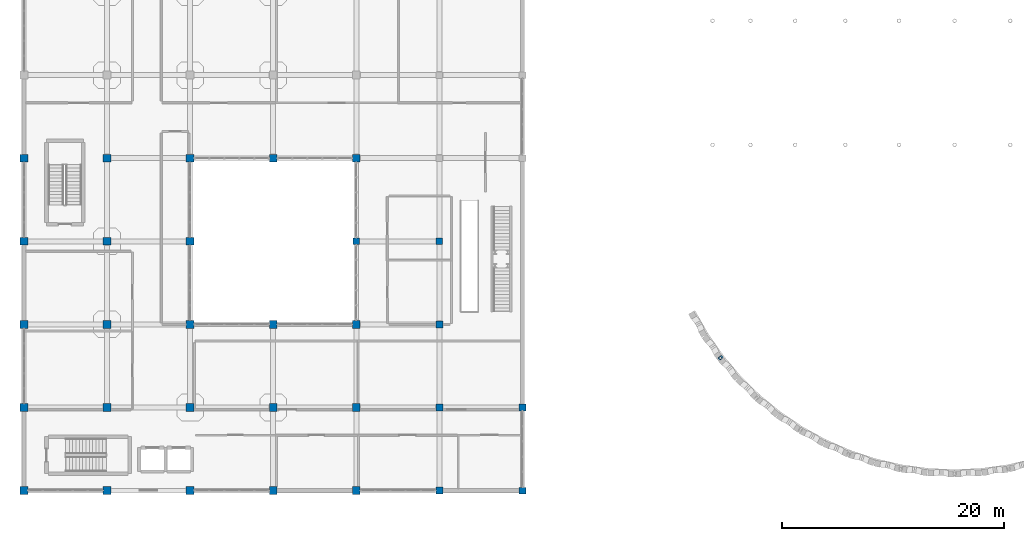
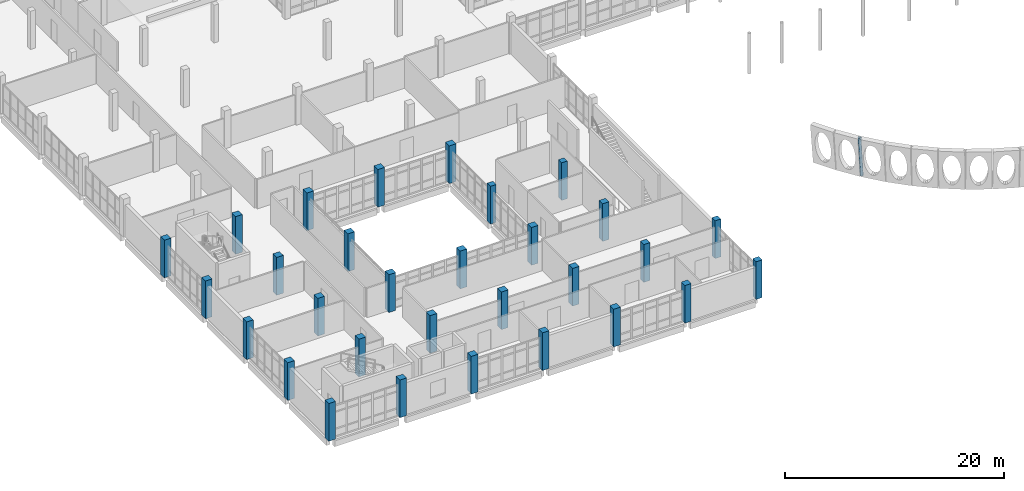
# One storey, part 1 of 164: 31 columns.
"""IFC4 building model written with IfcOpenShell, lengths in metres."""

import ifcopenshell
import ifcopenshell.guid

model = None  # the IFC model being written
_history = None  # IfcOwnerHistory: only IFC2X3 demands one
_inside = {}  # id of a spatial element -> (the spatial element, [elements in it])
_under = {}  # id of a project, library or spatial element -> (it, [spatial elements below it])
_declared = {}  # id of a project -> (the project, [libraries it declares])
_typed = {}  # id of a type object -> (the type object, [elements of that type])
_made_of = {}  # id of a material, layer set ... -> (it, [elements and type objects made of it])


def new_model(schema):
    """Start an empty IFC model of exactly this schema.

    Asked for "IFC4X3", IfcOpenShell would pick the latest addendum, in which some entities
    have other attributes; the version numbers below select the first issue.
    IFC2X3 requires an IfcOwnerHistory on every rooted entity: one is made here for all.
    """
    global model, _history
    if schema == "IFC4X3":
        model = ifcopenshell.file(schema_version=(4, 3, 0, 0))
    else:
        model = ifcopenshell.file(schema=schema)
    _inside.clear()
    _under.clear()
    _declared.clear()
    _typed.clear()
    _made_of.clear()
    _history = None
    if model.schema == "IFC2X3":
        org = make("IfcOrganization", Name="unknown")
        user = make(
            "IfcPersonAndOrganization",
            ThePerson=make("IfcPerson", FamilyName="unknown"),
            TheOrganization=org,
        )
        app = make(
            "IfcApplication",
            ApplicationDeveloper=org,
            Version="unknown",
            ApplicationFullName="unknown",
            ApplicationIdentifier="unknown",
        )
        _history = make(
            "IfcOwnerHistory",
            OwningUser=user,
            OwningApplication=app,
            ChangeAction="ADDED",
            CreationDate=0,
        )
    return model


def make(cls, **values):
    """One entity of the class cls with the attributes given. An attribute that is None is left unset."""
    return model.create_entity(
        cls, **{name: value for name, value in values.items() if value is not None}
    )


def rooted(cls, **values):
    """An entity with a GlobalId (a new one), such as an element, a storey or a relation."""
    return make(cls, GlobalId=ifcopenshell.guid.new(), OwnerHistory=_history, **values)


def si_unit(unit_type, name, prefix=None):
    """IfcSIUnit, for example si_unit("LENGTHUNIT", "METRE", prefix="MILLI")."""
    return make("IfcSIUnit", UnitType=unit_type, Prefix=prefix, Name=name)


def assignment(units):
    """IfcUnitAssignment: the units of a project."""
    return None if units is None else make("IfcUnitAssignment", Units=units)


def point(xyz):
    """IfcCartesianPoint."""
    return None if xyz is None else make("IfcCartesianPoint", Coordinates=xyz)


def direction(xyz):
    """IfcDirection."""
    return None if xyz is None else make("IfcDirection", DirectionRatios=xyz)


def frame(location, z_axis=None, x_axis=None):
    """IfcAxis2Placement3D, a coordinate frame: its origin and axes. An axis left out is left unset."""
    return make(
        "IfcAxis2Placement3D",
        Location=point(location),
        Axis=direction(z_axis),
        RefDirection=direction(x_axis),
    )


def frame_2d(location, x_axis=None):
    """IfcAxis2Placement2D, a coordinate frame in the plane: its origin and x axis."""
    return make(
        "IfcAxis2Placement2D", Location=point(location), RefDirection=direction(x_axis)
    )


def origin():
    """The frame at (0, 0, 0) with its axes left unset."""
    return frame((0.0, 0.0, 0.0))


def origin_2d():
    """The frame at (0, 0) in the plane with its x axis left unset."""
    return frame_2d((0.0, 0.0))


def place(relative_to, where):
    """IfcLocalPlacement: puts the frame where relative to a parent placement (None: the world)."""
    return make(
        "IfcLocalPlacement", PlacementRelTo=relative_to, RelativePlacement=where
    )


def context(
    kind, dimensions, precision=None, world=None, true_north=None, identifier=None
):
    """IfcGeometricRepresentationContext, for example the 3D "Model" context."""
    return make(
        "IfcGeometricRepresentationContext",
        ContextIdentifier=identifier,
        ContextType=kind,
        CoordinateSpaceDimension=dimensions,
        Precision=precision,
        WorldCoordinateSystem=world,
        TrueNorth=true_north,
    )


def subcontext(parent, identifier, kind, view, scale=None):
    """IfcGeometricRepresentationSubContext, for example "Body" below "Model"."""
    return make(
        "IfcGeometricRepresentationSubContext",
        ContextIdentifier=identifier,
        ContextType=kind,
        ParentContext=parent,
        TargetScale=scale,
        TargetView=view,
    )


def project(units=None, contexts=None):
    """IfcProject with its units and contexts."""
    return rooted(
        "IfcProject",
        Name="project",
        RepresentationContexts=contexts,
        UnitsInContext=assignment(units),
    )


def spatial(cls, under=None, at=None, **own):
    """A site, building, storey or space (cls), placed at a placement, below another one or the project."""
    s = rooted(cls, ObjectPlacement=at, **own)
    if under is not None:
        _under.setdefault(under.id(), (under, []))[1].append(s)
    return s


def profile(cls, at=None, kind="AREA", **sizes):
    """A parametric profile (cls). Its sizes go by their IFC names, for example OverallWidth=200.0."""
    return make(cls, ProfileType=kind, Position=at, **sizes)


def rectangle(**sizes):
    """IfcRectangleProfileDef."""
    return profile("IfcRectangleProfileDef", **sizes)


def hollow_circle(**sizes):
    """IfcCircleHollowProfileDef."""
    return profile("IfcCircleHollowProfileDef", **sizes)


def extrude(swept, where, along, depth):
    """IfcExtrudedAreaSolid: the profile swept, set in the frame where, extruded along a direction by depth."""
    return make(
        "IfcExtrudedAreaSolid",
        SweptArea=swept,
        Position=where,
        ExtrudedDirection=direction(along),
        Depth=depth,
    )


def shape(context_of_items, identifier, shape_type, items):
    """IfcShapeRepresentation: the items that make up one representation, for example the "Body"."""
    return make(
        "IfcShapeRepresentation",
        ContextOfItems=context_of_items,
        RepresentationIdentifier=identifier,
        RepresentationType=shape_type,
        Items=items,
    )


def material(Name=None, Category=None):
    """IfcMaterial."""
    return make("IfcMaterial", Name=Name, Category=Category)


def material_profile(
    of_material, cross_section, Name=None, Category=None, Priority=None
):
    """IfcMaterialProfile: a cross section and its material."""
    return make(
        "IfcMaterialProfile",
        Name=Name,
        Material=of_material,
        Profile=cross_section,
        Priority=Priority,
        Category=Category,
    )


def profile_set(profiles, Name=None, composite=None):
    """IfcMaterialProfileSet."""
    return make(
        "IfcMaterialProfileSet",
        Name=Name,
        MaterialProfiles=profiles,
        CompositeProfile=composite,
    )


def made_of(thing, what):
    """Note that an element or type object is made of a material, layer set ...; save() writes the relation."""
    if what is not None:
        _made_of.setdefault(what.id(), (what, []))[1].append(thing)
    return thing


def type_object(cls, material=None, **own):
    """A type object (cls), such as IfcWallType, which elements share."""
    return made_of(rooted(cls, **own), material)


def element(
    cls,
    number,
    at=None,
    inside=None,
    cuts=None,
    type_object=None,
    material=None,
    context=None,
    identifier="Body",
    shape_type=None,
    held_by="IfcProductDefinitionShape",
    body=None,
    shapes=None,
    **own,
):
    """One element of the class cls, such as IfcWall. Its Tag is "e" and its number.

    at: its placement. inside: the storey or other place that contains it. cuts: it is an
    opening in that element (IfcRelVoidsElement). A single representation is given by context,
    identifier, shape_type and body (its items); several are given by shapes. held_by: the class
    of the entity that holds the representations. save() writes the other relations.
    """
    e = rooted(cls, Tag="e%d" % number, ObjectPlacement=at, **own)
    if body is not None:
        shapes = [shape(context, identifier, shape_type, body)]
    if shapes is not None:
        e.Representation = make(held_by, Representations=shapes)
    if inside is not None:
        _inside.setdefault(inside.id(), (inside, []))[1].append(e)
    if cuts is not None:
        rooted(
            "IfcRelVoidsElement", RelatingBuildingElement=cuts, RelatedOpeningElement=e
        )
    if type_object is not None:
        _typed.setdefault(type_object.id(), (type_object, []))[1].append(e)
    return made_of(e, material)


def aggregate(whole, parts):
    """IfcRelAggregates: a whole, such as a stair, and the parts it consists of."""
    return rooted("IfcRelAggregates", RelatingObject=whole, RelatedObjects=parts)


def save(model, path):
    """Write the relations noted so far, then the file.

    IfcRelAggregates (storeys below a building ...), IfcRelContainedInSpatialStructure (elements
    in a storey), IfcRelDefinesByType, IfcRelAssociatesMaterial and IfcRelDeclares: one each for
    every whole, place, type object, material and project.
    """
    for whole, parts in _under.values():
        aggregate(whole, parts)
    for where, things in _inside.values():
        rooted(
            "IfcRelContainedInSpatialStructure",
            RelatedElements=things,
            RelatingStructure=where,
        )
    for kind, things in _typed.values():
        rooted("IfcRelDefinesByType", RelatedObjects=things, RelatingType=kind)
    for what, things in _made_of.values():
        rooted("IfcRelAssociatesMaterial", RelatedObjects=things, RelatingMaterial=what)
    for by, libraries in _declared.values():
        rooted("IfcRelDeclares", RelatingContext=by, RelatedDefinitions=libraries)
    model.write(path)


model = new_model("IFC4")

# Units and contexts
model_context = context("Model", 3, precision=1e-05, world=origin(), true_north=direction((0.0, 1.0)))
body_context = subcontext(model_context, "Body", "Model", "MODEL_VIEW")
ifc_project = project(units=[si_unit("LENGTHUNIT", "METRE"), si_unit("AREAUNIT", "SQUARE_METRE"), si_unit("VOLUMEUNIT", "CUBIC_METRE"), si_unit("PLANEANGLEUNIT", "RADIAN"), si_unit("MASSUNIT", "GRAM", prefix="KILO")], contexts=[model_context])

# Site, building, storey
site_placement = place(None, origin())
site = spatial("IfcSite", under=ifc_project, at=site_placement, CompositionType="ELEMENT")
building_placement = place(site_placement, origin())
building = spatial("IfcBuilding", under=site, at=building_placement, Name="Mawjan Specialist Oncology Clinic", CompositionType="ELEMENT")
storey_placement = place(building_placement, frame((0.0, 0.0, 5.0)))
storey = spatial("IfcBuildingStorey", under=building, at=storey_placement, Name="L01", CompositionType="ELEMENT", Elevation=5.0)

# Columns
ifc_material_1 = material(Name="Concrete C45/55", Category="concrete")
ifc_material_profile_1 = material_profile(ifc_material_1, rectangle(XDim=0.60009765625, YDim=0.60009765625, at=origin_2d()), Name="RC COL 600x600", Category="concrete")
ifc_profile_set_1 = profile_set([ifc_material_profile_1], Name="Concrete C45/55")
column_type_1 = type_object("IfcColumnType", Name="C-600", PredefinedType="COLUMN", material=ifc_profile_set_1)
for number, where, z_axis, x_axis, name in (
    (1, (30.0, 23.300048828125, 0.0), (0.0, 0.0, 1.0), (1.0, 0.0, 0.0), "L01 Column G-5-D"),
    (2, (37.5, 23.300048828125, 0.0), (0.0, 0.0, 1.0), (1.0, 0.0, 0.0), "L01 Column G-6-D"),
    (3, (45.0, 0.800048828125, 0.0), (0.0, 0.0, 1.0), (1.0, 0.0, 0.0), "L01 Column G-7-A"),
    (4, (45.0, 8.300048828125, 0.0), (0.0, 0.0, 1.0), (1.0, 0.0, 0.0), "L01 Column G-7-B"),
):
    element("IfcColumn", number, at=place(storey_placement, frame(where, z_axis=z_axis, x_axis=x_axis)), inside=storey, type_object=column_type_1, Name=name, PredefinedType="COLUMN", context=body_context, shape_type="SweptSolid", body=[
        extrude(rectangle(XDim=0.60009765625, YDim=0.60009765625, at=origin_2d()), origin(), (0.0, 0.0, 1.0), 4.199951171875),
    ])
ifc_material_2 = material(Name="Concrete C45/55", Category="concrete")
ifc_material_profile_2 = material_profile(ifc_material_2, rectangle(XDim=0.64990234375, YDim=0.64990234375, at=origin_2d()), Name="RC COL 650x650", Category="concrete")
ifc_profile_set_2 = profile_set([ifc_material_profile_2], Name="Concrete C45/55")
column_type_2 = type_object("IfcColumnType", Name="C-650", PredefinedType="COLUMN", material=ifc_profile_set_2)
for number, where, z_axis, x_axis, name in (
    (5, (37.5, 0.800048828125, 0.0), (0.0, 0.0, 1.0), (1.0, 0.0, 0.0), "L01 Column G-6-A"),
    (6, (37.5, 8.300048828125, 0.0), (0.0, 0.0, 1.0), (1.0, 0.0, 0.0), "L01 Column G-6-B"),
    (7, (37.5, 15.800048828125, 0.0), (0.0, 0.0, 1.0), (1.0, 0.0, 0.0), "L01 Column G-6-C"),
):
    element("IfcColumn", number, at=place(storey_placement, frame(where, z_axis=z_axis, x_axis=x_axis)), inside=storey, type_object=column_type_2, Name=name, PredefinedType="COLUMN", context=body_context, shape_type="SweptSolid", body=[
        extrude(rectangle(XDim=0.64990234375, YDim=0.64990234375, at=origin_2d()), origin(), (0.0, 0.0, 1.0), 4.199951171875),
    ])
ifc_material_3 = material(Name="Concrete C45/55", Category="concrete")
ifc_material_profile_3 = material_profile(ifc_material_3, rectangle(XDim=0.699951171875, YDim=0.699951171875, at=origin_2d()), Name="RC COL 700x700", Category="concrete")
ifc_profile_set_3 = profile_set([ifc_material_profile_3], Name="Concrete C45/55")
column_type_3 = type_object("IfcColumnType", Name="C-700", PredefinedType="COLUMN", material=ifc_profile_set_3)
for number, where, z_axis, x_axis, name in (
    (8, (0.0, 0.800048828125, 0.0), (0.0, 0.0, 1.0), (1.0, 0.0, 0.0), "L01 Column G-1-A"),
    (9, (0.0, 8.300048828125, 0.0), (0.0, 0.0, 1.0), (1.0, 0.0, 0.0), "L01 Column G-1-B"),
    (10, (0.0, 15.800048828125, 0.0), (0.0, 0.0, 1.0), (1.0, 0.0, 0.0), "L01 Column G-1-C"),
    (11, (0.0, 23.300048828125, 0.0), (0.0, 0.0, 1.0), (1.0, 0.0, 0.0), "L01 Column G-1-D"),
    (12, (0.0, 30.800048828125, 0.0), (0.0, 0.0, 1.0), (1.0, 0.0, 0.0), "L01 Column G-1-E"),
    (13, (7.5, 0.800048828125, 0.0), (0.0, 0.0, 1.0), (1.0, 0.0, 0.0), "L01 Column G-2-A"),
    (14, (7.5, 8.300048828125, 0.0), (0.0, 0.0, 1.0), (1.0, 0.0, 0.0), "L01 Column G-2-B"),
    (15, (7.5, 15.800048828125, 0.0), (0.0, 0.0, 1.0), (1.0, 0.0, 0.0), "L01 Column G-2-C"),
    (16, (7.5, 23.300048828125, 0.0), (0.0, 0.0, 1.0), (1.0, 0.0, 0.0), "L01 Column G-2-D"),
    (17, (7.5, 30.800048828125, 0.0), (0.0, 0.0, 1.0), (1.0, 0.0, 0.0), "L01 Column G-2-E"),
    (18, (15.0, 0.800048828125, 0.0), (0.0, 0.0, 1.0), (1.0, 0.0, 0.0), "L01 Column G-3-A"),
    (19, (15.0, 8.300048828125, 0.0), (0.0, 0.0, 1.0), (1.0, 0.0, 0.0), "L01 Column G-3-B"),
    (20, (15.0, 15.800048828125, 0.0), (0.0, 0.0, 1.0), (1.0, 0.0, 0.0), "L01 Column G-3-C"),
    (21, (15.0, 23.300048828125, 0.0), (0.0, 0.0, 1.0), (1.0, 0.0, 0.0), "L01 Column G-3-D"),
    (22, (15.0, 30.800048828125, 0.0), (0.0, 0.0, 1.0), (1.0, 0.0, 0.0), "L01 Column G-3-E"),
    (23, (22.5, 0.800048828125, 0.0), (0.0, 0.0, 1.0), (1.0, 0.0, 0.0), "L01 Column G-4-A"),
    (24, (22.5, 8.300048828125, 0.0), (0.0, 0.0, 1.0), (1.0, 0.0, 0.0), "L01 Column G-4-B"),
    (25, (22.5, 15.800048828125, 0.0), (0.0, 0.0, 1.0), (1.0, 0.0, 0.0), "L01 Column G-4-C"),
    (26, (22.5, 30.800048828125, 0.0), (0.0, 0.0, 1.0), (1.0, 0.0, 0.0), "L01 Column G-4-E"),
    (27, (30.0, 0.800048828125, 0.0), (0.0, 0.0, 1.0), (1.0, 0.0, 0.0), "L01 Column G-5-A"),
    (28, (30.0, 8.300048828125, 0.0), (0.0, 0.0, 1.0), (1.0, 0.0, 0.0), "L01 Column G-5-B"),
    (29, (30.0, 15.800048828125, 0.0), (0.0, 0.0, 1.0), (1.0, 0.0, 0.0), "L01 Column G-5-C"),
    (30, (30.0, 30.800048828125, 0.0), (0.0, 0.0, 1.0), (1.0, 0.0, 0.0), "L01 Column G-5-E"),
):
    element("IfcColumn", number, at=place(storey_placement, frame(where, z_axis=z_axis, x_axis=x_axis)), inside=storey, type_object=column_type_3, Name=name, PredefinedType="COLUMN", context=body_context, shape_type="SweptSolid", body=[
        extrude(rectangle(XDim=0.699951171875, YDim=0.699951171875, at=origin_2d()), origin(), (0.0, 0.0, 1.0), 4.199951171875),
    ])
ifc_material_4 = material(Name="Structural steel S355", Category="steel")
ifc_material_profile_4 = material_profile(ifc_material_4, hollow_circle(Radius=0.161865234375, WallThickness=0.011962890625, at=origin_2d()), Name="CHS 323.9x12", Category="steel")
ifc_profile_set_4 = profile_set([ifc_material_profile_4], Name="Structural steel S355")
column_type_4 = type_object("IfcColumnType", Name="SC-CHS324", PredefinedType="COLUMN", material=ifc_profile_set_4)
column_placement = place(storey_placement, frame((62.9208984375, 12.825439453125, 0.0), z_axis=(-0.089805119867, -0.068944026597, 0.99357020972), x_axis=(0.608951174895, -0.793207707095, 0.0)))
element("IfcColumn", 31, at=column_placement, inside=storey, type_object=column_type_4, Name="Stone-Arc Restraint Pier 1 L01", PredefinedType="COLUMN", context=body_context, shape_type="SweptSolid", body=[
    extrude(hollow_circle(Radius=0.161865234375, WallThickness=0.011962890625, at=origin_2d()), origin(), (0.0, 0.0, 1.0), 4.529052734375),
])

save(model, "model.ifc")
